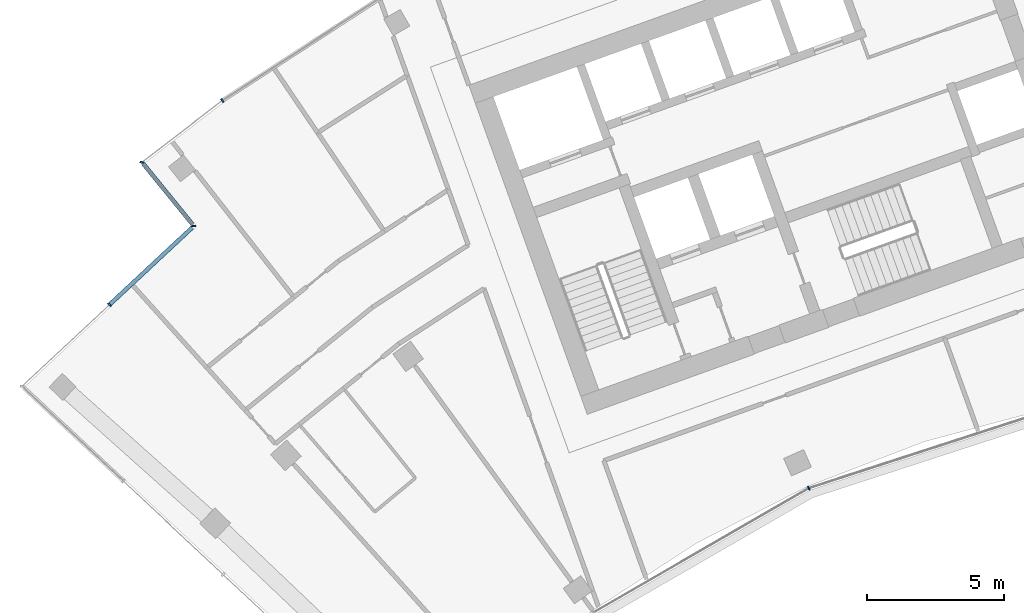
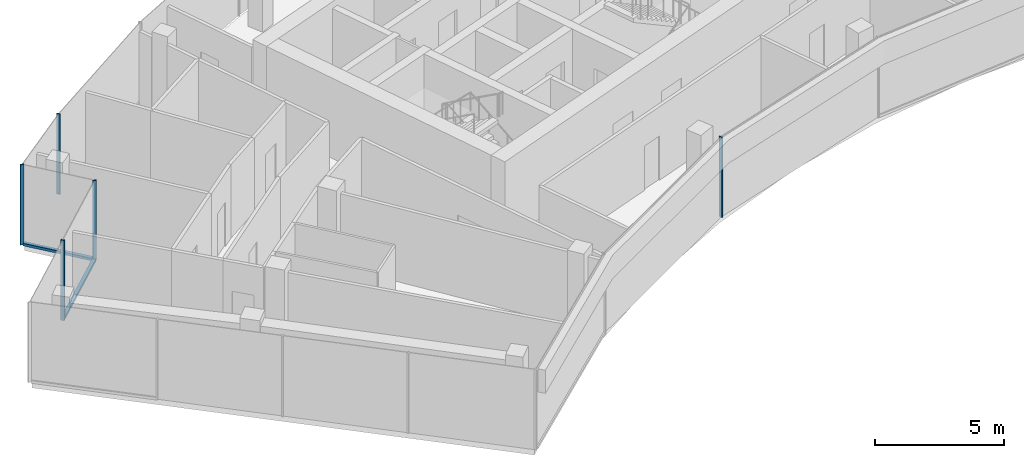
# One storey, part 3 of 18: 7 members, 4 elements without a shape of their own.
"""IFC4 building model written with IfcOpenShell, lengths in metres."""

from ifc_helpers import new_model, si_unit, direction, frame, origin, origin_2d, place, context, subcontext, project, spatial, rectangle, extrude, material, layer, layer_set, material_profile, profile_set, type_object, element, aggregate, save


model = new_model("IFC4")

# Units and contexts
model_context = context("Model", 3, precision=1e-05, world=origin(), true_north=direction((0.0, 1.0)))
body_context = subcontext(model_context, "Body", "Model", "MODEL_VIEW")
ifc_project = project(units=[si_unit("LENGTHUNIT", "METRE"), si_unit("AREAUNIT", "SQUARE_METRE"), si_unit("VOLUMEUNIT", "CUBIC_METRE"), si_unit("PLANEANGLEUNIT", "RADIAN"), si_unit("MASSUNIT", "GRAM", prefix="KILO")], contexts=[model_context])

# Site, building, storey
site_placement = place(None, origin())
site = spatial("IfcSite", under=ifc_project, at=site_placement, CompositionType="ELEMENT")
building_placement = place(site_placement, origin())
building = spatial("IfcBuilding", under=site, at=building_placement, Name="Stone Belt Terrace Tower", CompositionType="ELEMENT")
storey_placement = place(building_placement, frame((0.0, 0.0, 288.39990234375)))
storey = spatial("IfcBuildingStorey", under=building, at=storey_placement, Name="L70", CompositionType="ELEMENT", Elevation=288.39990234375)

# Curtain wall, member
ifc_material = material(Name="Aluminium 6063-T6 anodised frame", Category="aluminium")
ifc_layer_1 = layer(ifc_material, 0.14990234375)
ifc_layer_set_1 = layer_set([ifc_layer_1], Name="CW-A unitised convex-face curtain wall")
curtain_wall_type_1 = type_object("IfcCurtainWallType", Name="CW-A unitised convex-face curtain wall", PredefinedType="NOTDEFINED", material=ifc_layer_set_1)
curtain_wall_1_placement = place(storey_placement, origin())
curtain_wall_1 = element("IfcCurtainWall", 1, at=curtain_wall_1_placement, inside=storey, type_object=curtain_wall_type_1, Name="CW-A convex face L70", PredefinedType="NOTDEFINED")
ifc_material_profile_1 = material_profile(ifc_material, rectangle(XDim=0.14990234375, YDim=0.06005859375, at=origin_2d()), Name="Aluminium 6063-T6 60x150")
ifc_profile_set_1 = profile_set([ifc_material_profile_1], Name="Aluminium 6063-T6 anodised frame")
member_type_1 = type_object("IfcMemberType", Name="CW-A mullion 60 x 150", PredefinedType="MULLION", material=ifc_profile_set_1)
member_1_placement = place(storey_placement, frame((-39.131103515625, 53.86083984375, 0.0), z_axis=(0.0, 0.0, 1.0), x_axis=(0.577587125789, -0.816329046477, 0.0)))
member_1 = element("IfcMember", 2, at=member_1_placement, type_object=member_type_1, Name="CW-A mullion 14", PredefinedType="MULLION", context=body_context, shape_type="SweptSolid", body=[
    extrude(rectangle(XDim=0.14990234375, YDim=0.06005859375, at=origin_2d()), origin(), (0.0, 0.0, 1.0), 3.800048828125),
])
aggregate(curtain_wall_1, [member_1])

ifc_layer_2 = layer(ifc_material, 0.14990234375)
ifc_layer_set_2 = layer_set([ifc_layer_2], Name="CW-B unitised concave-face curtain wall")
curtain_wall_type_2 = type_object("IfcCurtainWallType", Name="CW-B unitised concave-face curtain wall", PredefinedType="NOTDEFINED", material=ifc_layer_set_2)
curtain_wall_2_placement = place(storey_placement, origin())
curtain_wall_2 = element("IfcCurtainWall", 3, at=curtain_wall_2_placement, inside=storey, type_object=curtain_wall_type_2, Name="CW-B concave face L70", PredefinedType="NOTDEFINED")
ifc_material_profile_2 = material_profile(ifc_material, rectangle(XDim=0.14990234375, YDim=0.050048828125, at=origin_2d()), Name="Aluminium 6063-T6 50x150")
ifc_profile_set_2 = profile_set([ifc_material_profile_2], Name="Aluminium 6063-T6 anodised frame")
member_type_2 = type_object("IfcMemberType", Name="CW-B mullion 50 x 150", PredefinedType="MULLION", material=ifc_profile_set_2)
member_2_placement = place(storey_placement, frame((-17.662353515625, 39.67041015625, 0.0), z_axis=(0.0, 0.0, 1.0), x_axis=(-0.406736643076, 0.913545457643, 0.0)))
member_2 = element("IfcMember", 4, at=member_2_placement, type_object=member_type_2, Name="CW-B mullion 3", PredefinedType="MULLION", context=body_context, shape_type="SweptSolid", body=[
    extrude(rectangle(XDim=0.14990234375, YDim=0.050048828125, at=origin_2d()), origin(), (0.0, 0.0, 1.0), 3.800048828125),
])
aggregate(curtain_wall_2, [member_2])

ifc_layer_3 = layer(ifc_material, 0.14990234375)
ifc_layer_set_3 = layer_set([ifc_layer_3], Name="CW-C stick curtain wall, horn ends and notches")
curtain_wall_type_3 = type_object("IfcCurtainWallType", Name="CW-C stick curtain wall, horn ends and notches", PredefinedType="NOTDEFINED", material=ifc_layer_set_3)
curtain_wall_3_placement = place(storey_placement, origin())
curtain_wall_3 = element("IfcCurtainWall", 5, at=curtain_wall_3_placement, inside=storey, type_object=curtain_wall_type_3, Name="CW-C notch face L70", PredefinedType="NOTDEFINED")
ifc_material_profile_3 = material_profile(ifc_material, rectangle(XDim=0.14990234375, YDim=0.06005859375, at=origin_2d()), Name="Aluminium 6063-T6 60x150")
ifc_profile_set_3 = profile_set([ifc_material_profile_3], Name="Aluminium 6063-T6 anodised frame")
member_type_3 = type_object("IfcMemberType", Name="CW-C mullion 60 x 150", PredefinedType="MULLION", material=ifc_profile_set_3)
member_3_placement = place(storey_placement, frame((-42.068359375, 51.60205078125, 0.0), z_axis=(0.0, 0.0, 1.0), x_axis=(0.993258004644, -0.115924700604, 0.0)))
member_3 = element("IfcMember", 6, at=member_3_placement, type_object=member_type_3, Name="CW-C mullion 1", PredefinedType="MULLION", context=body_context, shape_type="SweptSolid", body=[
    extrude(rectangle(XDim=0.14990234375, YDim=0.06005859375, at=origin_2d()), origin(), (0.0, 0.0, 1.0), 3.800048828125),
])

# Curtain wall, members
curtain_wall_4_placement = place(storey_placement, origin())
curtain_wall_4 = element("IfcCurtainWall", 7, at=curtain_wall_4_placement, inside=storey, type_object=curtain_wall_type_3, Name="CW-C notch face L70", PredefinedType="NOTDEFINED")
member_4_placement = place(storey_placement, frame((-40.1708984375, 49.269287109375, 0.0), z_axis=(0.0, 0.0, 1.0), x_axis=(0.997639702696, -0.068666029474, 0.0)))
member_4 = element("IfcMember", 8, at=member_4_placement, type_object=member_type_3, Name="CW-C mullion 1", PredefinedType="MULLION", context=body_context, shape_type="SweptSolid", body=[
    extrude(rectangle(XDim=0.14990234375, YDim=0.06005859375, at=origin_2d()), origin(), (0.0, 0.0, 1.0), 3.800048828125),
])
member_5_placement = place(storey_placement, frame((-43.260009765625, 46.388671875, 0.0), z_axis=(0.0, 0.0, 1.0), x_axis=(0.682013767261, -0.731339333871, 0.0)))
member_5 = element("IfcMember", 9, at=member_5_placement, type_object=member_type_3, Name="CW-C mullion 2", PredefinedType="MULLION", context=body_context, shape_type="SweptSolid", body=[
    extrude(rectangle(XDim=0.14990234375, YDim=0.06005859375, at=origin_2d()), origin(), (0.0, 0.0, 1.0), 3.800048828125),
])

# Member
ifc_material_profile_4 = material_profile(ifc_material, rectangle(XDim=0.14990234375, YDim=0.1201171875, at=origin_2d()), Name="Aluminium 6063-T6 150x120")
ifc_profile_set_4 = profile_set([ifc_material_profile_4], Name="Aluminium 6063-T6 anodised frame")
member_type_4 = type_object("IfcMemberType", Name="CW-C transom 120 x 150", PredefinedType="USERDEFINED", material=ifc_profile_set_4)
member_6_placement = place(storey_placement, frame((-42.021240234375, 51.5439453125, 0.06005859375), z_axis=(0.631026504781, -0.775761271439, 0.0), x_axis=(0.775761271439, 0.631026504781, 0.0)))
member_6 = element("IfcMember", 10, at=member_6_placement, type_object=member_type_4, Name="CW-C transom 1.1", ObjectType="TRANSOM", PredefinedType="USERDEFINED", context=body_context, shape_type="SweptSolid", body=[
    extrude(rectangle(XDim=0.14990234375, YDim=0.1201171875, at=origin_2d()), origin(), (0.0, 0.0, 1.0), 2.859130859375),
])

aggregate(curtain_wall_3, [member_3, member_6])

member_7_placement = place(storey_placement, frame((-40.224365234375, 49.21923828125, 0.06005859375), z_axis=(-0.731382255625, -0.681967738355, 0.0), x_axis=(0.681967738355, -0.731382255625, 0.0)))
member_7 = element("IfcMember", 11, at=member_7_placement, type_object=member_type_4, Name="CW-C transom 1.1", ObjectType="TRANSOM", PredefinedType="USERDEFINED", context=body_context, shape_type="SweptSolid", body=[
    extrude(rectangle(XDim=0.14990234375, YDim=0.1201171875, at=origin_2d()), origin(), (0.0, 0.0, 1.0), 4.12060546875),
])

aggregate(curtain_wall_4, [member_4, member_5, member_7])

save(model, "model.ifc")
